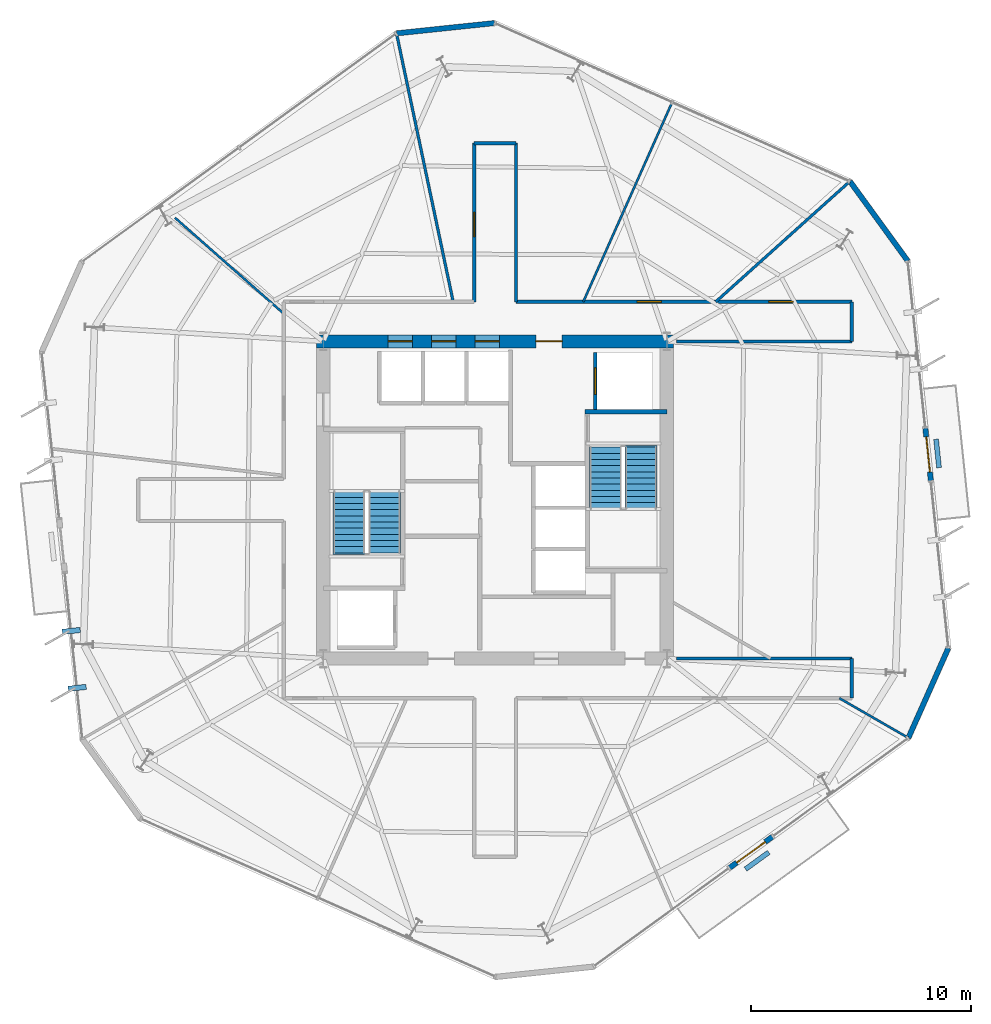
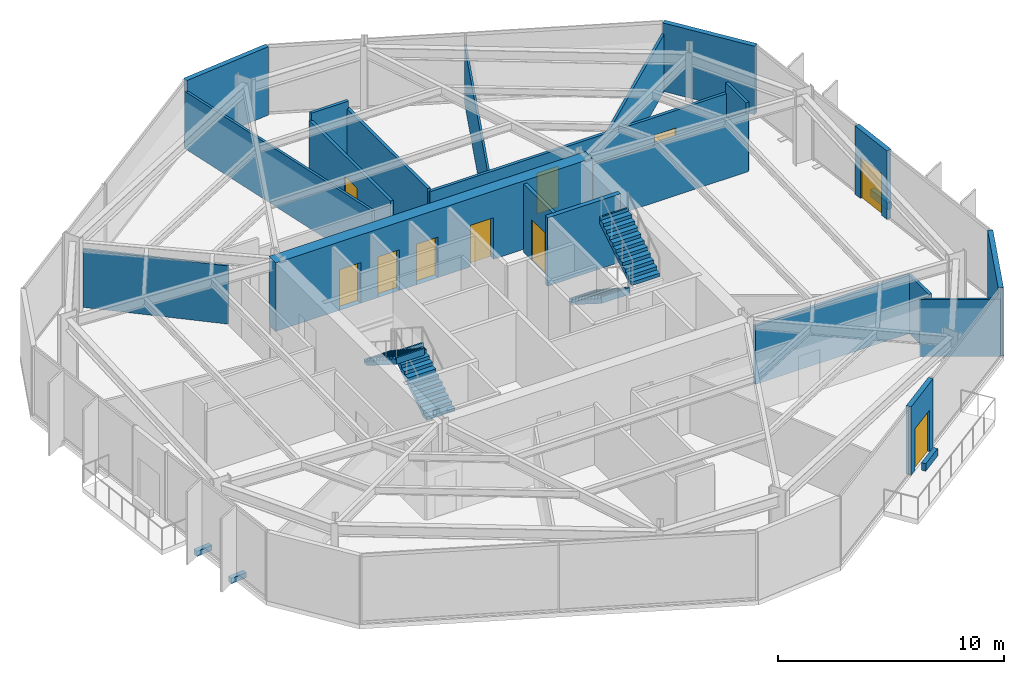
# One storey, part 8 of 12: 23 walls, 10 doors, 4 stair flights, 2 discrete accessories, 10 openings, 2 elements without a shape of their own.
"""IFC4 building model written with IfcOpenShell, lengths in metres."""

from ifc_helpers import new_model, si_unit, direction, frame, frame_2d, origin, origin_2d, place, context, subcontext, project, spatial, polyline, rectangle, outline, extrude, material, layer, layer_set, type_object, element, fill, aggregate, save


model = new_model("IFC4")

# Units and contexts
model_context = context("Model", 3, precision=1e-05, world=origin(), true_north=direction((0.0, 1.0)))
body_context = subcontext(model_context, "Body", "Model", "MODEL_VIEW")
ifc_project = project(units=[si_unit("LENGTHUNIT", "METRE"), si_unit("AREAUNIT", "SQUARE_METRE"), si_unit("VOLUMEUNIT", "CUBIC_METRE"), si_unit("PLANEANGLEUNIT", "RADIAN"), si_unit("MASSUNIT", "GRAM", prefix="KILO")], contexts=[model_context])

# Site, building, storey
site_placement = place(None, origin())
site = spatial("IfcSite", under=ifc_project, at=site_placement, CompositionType="ELEMENT")
building_placement = place(site_placement, origin())
building = spatial("IfcBuilding", under=site, at=building_placement, Name="Kranzbogen Civic Tower", CompositionType="ELEMENT")
storey_placement = place(building_placement, frame((0.0, 0.0, 166.39990234375)))
storey = spatial("IfcBuildingStorey", under=building, at=storey_placement, Name="L40", CompositionType="ELEMENT", Elevation=166.39990234375)

# Wall, opening, door
ifc_material_1 = material(Name="Double-Stud Acoustic Gypsum Partition")
ifc_layer_1 = layer(ifc_material_1, 0.14990234375, Name="Double-Stud Acoustic Gypsum Partition")
ifc_layer_set_1 = layer_set([ifc_layer_1], Name="Double-Stud Acoustic Gypsum Partition")
wall_type_1 = type_object("IfcWallType", Name="Acoustic Corridor and Clinical Partition 150 mm", PredefinedType="PARTITIONING", material=ifc_layer_set_1)
wall_1_placement = place(storey_placement, frame((24.050048828125, 34.0, 0.0), z_axis=(0.0, 0.0, 1.0), x_axis=(0.0, 1.0, 0.0)))
wall_1 = element("IfcWall", 1, at=wall_1_placement, inside=storey, type_object=wall_type_1, Name="L40 corridor partition 11", PredefinedType="PARTITIONING", context=body_context, shape_type="SweptSolid", body=[
    extrude(rectangle(XDim=7.199951171875, YDim=0.14990234375, at=frame_2d((3.60009765625, 0.0))), origin(), (0.0, 0.0, 1.0), 3.300048828125),
])
opening_1_placement = place(wall_1_placement, frame((2.9619140625, 0.0, 0.0)))
opening_1 = element("IfcOpeningElement", 2, at=opening_1_placement, cuts=wall_1, Name="Opening D-COR60", PredefinedType="OPENING", context=body_context, shape_type="SweptSolid", body=[
    extrude(rectangle(XDim=1.10009765625, YDim=2.199951171875, at=frame_2d((0.550048828125, 1.10009765625))), frame((0.0, 0.0849609375, 0.0), z_axis=(0.0, -1.0, 0.0), x_axis=(1.0, 0.0, 0.0)), (0.0, 0.0, 1.0), 0.169921875),
])
ifc_material_2 = material(Name="Oak Timber and Fire Core", Category="wood")
door_type_1 = type_object("IfcDoorType", Name="Corridor Acoustic Fire Door 1100x2200", OperationType="NOTDEFINED", PredefinedType="DOOR", material=ifc_material_2)
door_1_placement = place(opening_1_placement, origin())
door_1 = element("IfcDoor", 3, at=door_1_placement, inside=storey, type_object=door_type_1, Name="L40 Staff Tea Pantry door", OperationType="SINGLE_SWING_RIGHT", OverallHeight=2.199951171875, OverallWidth=1.10009765625, PredefinedType="DOOR", context=body_context, shape_type="SweptSolid", body=[
    extrude(rectangle(XDim=1.10009765625, YDim=2.199951171875, at=frame_2d((0.550048828125, 1.10009765625))), frame((0.0, 0.02490234375, 0.0), z_axis=(0.0, -1.0, 0.0), x_axis=(1.0, 0.0, 0.0)), (0.0, 0.0, 1.0), 0.050048828125),
])
fill(opening_1, door_1)

# Walls
wall_2_placement = place(storey_placement, frame((24.050048828125, 41.199951171875, 0.0), z_axis=(0.0, 0.0, 1.0), x_axis=(1.0, 0.0, 0.0)))
element("IfcWall", 4, at=wall_2_placement, inside=storey, type_object=wall_type_1, Name="L40 corridor partition 12", PredefinedType="PARTITIONING", context=body_context, shape_type="SweptSolid", body=[
    extrude(rectangle(XDim=1.89990234375, YDim=0.14990234375, at=frame_2d((0.949951171875, 0.0))), origin(), (0.0, 0.0, 1.0), 3.7001953125),
])
wall_3_placement = place(storey_placement, frame((25.949951171875, 41.199951171875, 0.0), z_axis=(0.0, 0.0, 1.0), x_axis=(0.0, -1.0, 0.0)))
element("IfcWall", 5, at=wall_3_placement, inside=storey, type_object=wall_type_1, Name="L40 corridor partition 13", PredefinedType="PARTITIONING", context=body_context, shape_type="SweptSolid", body=[
    extrude(rectangle(XDim=7.199951171875, YDim=0.14990234375, at=frame_2d((3.60009765625, 0.0))), origin(), (0.0, 0.0, 1.0), 3.300048828125),
])

# Wall, openings, doors
wall_4_placement = place(storey_placement, frame((25.949951171875, 34.0, 0.0), z_axis=(0.0, 0.0, 1.0), x_axis=(1.0, 0.0, 0.0)))
wall_4 = element("IfcWall", 6, at=wall_4_placement, inside=storey, type_object=wall_type_1, Name="L40 corridor partition 14", PredefinedType="PARTITIONING", context=body_context, shape_type="SweptSolid", body=[
    extrude(rectangle(XDim=15.25, YDim=0.14990234375, at=frame_2d((7.625, 0.0))), origin(), (0.0, 0.0, 1.0), 3.150146484375),
])
opening_2_placement = place(wall_4_placement, frame((11.47998046875, 0.0, 0.0)))
opening_2 = element("IfcOpeningElement", 7, at=opening_2_placement, cuts=wall_4, Name="Opening D-COR60", PredefinedType="OPENING", context=body_context, shape_type="SweptSolid", body=[
    extrude(rectangle(XDim=1.10009765625, YDim=2.199951171875, at=frame_2d((0.550048828125, 1.10009765625))), frame((0.0, 0.0849609375, 0.0), z_axis=(0.0, -1.0, 0.0), x_axis=(1.0, 0.0, 0.0)), (0.0, 0.0, 1.0), 0.169921875),
])
opening_3_placement = place(wall_4_placement, frame((5.501953125, 0.0, 0.0)))
opening_3 = element("IfcOpeningElement", 8, at=opening_3_placement, cuts=wall_4, Name="Opening D-COR60", PredefinedType="OPENING", context=body_context, shape_type="SweptSolid", body=[
    extrude(rectangle(XDim=1.10009765625, YDim=2.199951171875, at=frame_2d((0.550048828125, 1.10009765625))), frame((0.0, 0.0849609375, 0.0), z_axis=(0.0, -1.0, 0.0), x_axis=(1.0, 0.0, 0.0)), (0.0, 0.0, 1.0), 0.169921875),
])
door_2_placement = place(opening_2_placement, origin())
door_2 = element("IfcDoor", 9, at=door_2_placement, inside=storey, type_object=door_type_1, Name="L40 Executive Research Study door", OperationType="SINGLE_SWING_RIGHT", OverallHeight=2.199951171875, OverallWidth=1.10009765625, PredefinedType="DOOR", context=body_context, shape_type="SweptSolid", body=[
    extrude(rectangle(XDim=1.10009765625, YDim=2.199951171875, at=frame_2d((0.550048828125, 1.10009765625))), frame((0.0, 0.02490234375, 0.0), z_axis=(0.0, -1.0, 0.0), x_axis=(1.0, 0.0, 0.0)), (0.0, 0.0, 1.0), 0.050048828125),
])
fill(opening_2, door_2)
door_3_placement = place(opening_3_placement, origin())
door_3 = element("IfcDoor", 10, at=door_3_placement, inside=storey, type_object=door_type_1, Name="L40 Protocol Dining Room door", OperationType="SINGLE_SWING_LEFT", OverallHeight=2.199951171875, OverallWidth=1.10009765625, PredefinedType="DOOR", context=body_context, shape_type="SweptSolid", body=[
    extrude(rectangle(XDim=1.10009765625, YDim=2.199951171875, at=frame_2d((0.550048828125, 1.10009765625))), frame((0.0, 0.02490234375, 0.0), z_axis=(0.0, -1.0, 0.0), x_axis=(1.0, 0.0, 0.0)), (0.0, 0.0, 1.0), 0.050048828125),
])
fill(opening_3, door_3)

# Walls
wall_5_placement = place(storey_placement, frame((41.199951171875, 34.0, 0.0), z_axis=(0.0, 0.0, 1.0), x_axis=(0.0, -1.0, 0.0)))
element("IfcWall", 11, at=wall_5_placement, inside=storey, type_object=wall_type_1, Name="L40 corridor partition 15", PredefinedType="PARTITIONING", context=body_context, shape_type="SweptSolid", body=[
    extrude(rectangle(XDim=1.800048828125, YDim=0.14990234375, at=frame_2d((0.89990234375, 0.0))), origin(), (0.0, 0.0, 1.0), 3.7001953125),
])
for number, where, z_axis, x_axis, name in (
    (12, (41.199951171875, 32.199951171875, 0.0), (0.0, 0.0, 1.0), (-1.0, 0.0, 0.0), "L40 corridor partition 16"),
    (13, (33.2470703125, 17.800048828125, 0.0), (0.0, 0.0, 1.0), (1.0, 0.0, 0.0), "L40 corridor partition 17"),
):
    element("IfcWall", number, at=place(storey_placement, frame(where, z_axis=z_axis, x_axis=x_axis)), inside=storey, type_object=wall_type_1, Name=name, PredefinedType="PARTITIONING", context=body_context, shape_type="SweptSolid", body=[
        extrude(rectangle(XDim=7.952880859375, YDim=0.14990234375, at=frame_2d((3.9765625, 0.0))), origin(), (0.0, 0.0, 1.0), 3.150146484375),
    ])
wall_6_placement = place(storey_placement, frame((41.199951171875, 17.800048828125, 0.0), z_axis=(0.0, 0.0, 1.0), x_axis=(0.0, -1.0, 0.0)))
element("IfcWall", 14, at=wall_6_placement, inside=storey, type_object=wall_type_1, Name="L40 corridor partition 18", PredefinedType="PARTITIONING", context=body_context, shape_type="SweptSolid", body=[
    extrude(rectangle(XDim=1.800048828125, YDim=0.14990234375, at=frame_2d((0.89990234375, 0.0))), origin(), (0.0, 0.0, 1.0), 3.150146484375),
])
ifc_material_3 = material(Name="Insulated Metal-Stud Gypsum Partition")
ifc_layer_2 = layer(ifc_material_3, 0.125, Name="Insulated Metal-Stud Gypsum Partition")
ifc_layer_set_2 = layer_set([ifc_layer_2], Name="Insulated Metal-Stud Gypsum Partition")
wall_type_2 = type_object("IfcWallType", Name="Acoustic Inter-Room Partition 125 mm", PredefinedType="PARTITIONING", material=ifc_layer_set_2)
wall_7_placement = place(storey_placement, frame((35.02197265625, 34.0, 0.0), z_axis=(0.0, 0.0, 1.0), x_axis=(0.744048711529, 0.668125373618, 0.0)))
element("IfcWall", 15, at=wall_7_placement, inside=storey, type_object=wall_type_2, Name="L40 radial room partition 01", PredefinedType="PARTITIONING", context=body_context, shape_type="SweptSolid", body=[
    extrude(rectangle(XDim=8.167724609375, YDim=0.125, at=frame_2d((4.083984375, 0.0))), origin(), (0.0, 0.0, 1.0), 3.10009765625),
])
wall_8_placement = place(storey_placement, frame((23.09912109375, 34.0, 0.0), z_axis=(0.0, 0.0, 1.0), x_axis=(-0.20660887061, 0.978423617144, 0.0)))
element("IfcWall", 16, at=wall_8_placement, inside=storey, type_object=wall_type_2, Name="L40 radial room partition 03", PredefinedType="PARTITIONING", context=body_context, shape_type="SweptSolid", body=[
    extrude(rectangle(XDim=12.439208984375, YDim=0.125, at=frame_2d((6.2197265625, 0.0))), origin(), (0.0, 0.0, 1.0), 3.10009765625),
])
ifc_material_4 = material(Name="Architectural Precast Terracotta Concrete C40/50", Category="masonry")
ifc_layer_3 = layer(ifc_material_4, 0.219970703125, Name="Architectural Precast Terracotta Concrete C40/50")
ifc_layer_set_3 = layer_set([ifc_layer_3], Name="Architectural Precast Terracotta Concrete C40/50")
wall_type_3 = type_object("IfcWallType", Name="Architectural Tree Planter Kerb Wall 220 mm", PredefinedType="USERDEFINED", material=ifc_layer_set_3)
wall_9_placement = place(storey_placement, frame((45.162109375, 26.466064453125, 0.0), z_axis=(0.0, 0.0, 1.0), x_axis=(-0.104860863868, 0.994486902492, 0.0)))
element("IfcWall", 17, at=wall_9_placement, inside=storey, type_object=wall_type_3, Name="L40 landscaped tree balcony planter L40-TB2", ObjectType="PLANTER_WALL", PredefinedType="USERDEFINED", context=body_context, shape_type="SweptSolid", body=[
    extrude(rectangle(XDim=1.299072265625, YDim=0.219970703125, at=frame_2d((0.6494140625, 0.0))), origin(), (0.0, 0.0, 1.0), 0.400146484375),
])
wall_10_placement = place(storey_placement, frame((36.375, 8.238037109375, 0.0), z_axis=(0.0, 0.0, 1.0), x_axis=(0.809166251076, 0.587579763197, 0.0)))
element("IfcWall", 18, at=wall_10_placement, inside=storey, type_object=wall_type_3, Name="L40 landscaped tree balcony planter L40-ST", ObjectType="PLANTER_WALL", PredefinedType="USERDEFINED", context=body_context, shape_type="SweptSolid", body=[
    extrude(rectangle(XDim=1.300048828125, YDim=0.219970703125, at=frame_2d((0.64990234375, 0.0))), origin(), (0.0, 0.0, 1.0), 0.400146484375),
])

# Wall, openings, doors
ifc_material_5 = material(Name="Concrete C55/67", Category="concrete")
ifc_layer_4 = layer(ifc_material_5, 0.60009765625, Name="Concrete C55/67")
ifc_layer_set_4 = layer_set([ifc_layer_4], Name="Concrete C55/67")
wall_type_4 = type_object("IfcWallType", Name="Central Core Shear Wall 600 mm", PredefinedType="SHEAR", material=ifc_layer_set_4)
wall_11_placement = place(storey_placement, frame((33.10009765625, 32.199951171875, 0.0), z_axis=(0.0, 0.0, 1.0), x_axis=(-1.0, 0.0, 0.0)))
wall_11 = element("IfcWall", 19, at=wall_11_placement, inside=storey, type_object=wall_type_4, Name="L40 central core North shear wall", PredefinedType="SHEAR", context=body_context, shape_type="SweptSolid", body=[
    extrude(rectangle(XDim=16.2001953125, YDim=0.60009765625, at=frame_2d((8.10009765625, 0.0))), origin(), (0.0, 0.0, 1.0), 3.7001953125),
])
opening_4_placement = place(wall_11_placement, frame((5.050048828125, 0.0, 0.0)))
opening_4 = element("IfcOpeningElement", 20, at=opening_4_placement, cuts=wall_11, Name="Opening D-EX120", PredefinedType="OPENING", context=body_context, shape_type="SweptSolid", body=[
    extrude(rectangle(XDim=1.199951171875, YDim=2.25, at=frame_2d((0.60009765625, 1.125))), frame((0.0, 0.31005859375, 0.0), z_axis=(0.0, -1.0, 0.0), x_axis=(1.0, 0.0, 0.0)), (0.0, 0.0, 1.0), 0.6201171875),
])
opening_5_placement = place(wall_11_placement, frame((11.85009765625, 0.0, 0.0)))
opening_5 = element("IfcOpeningElement", 21, at=opening_5_placement, cuts=wall_11, Name="Opening LD-MP-01", PredefinedType="OPENING", context=body_context, shape_type="SweptSolid", body=[
    extrude(rectangle(XDim=1.10009765625, YDim=2.199951171875, at=frame_2d((0.550048828125, 1.10009765625))), frame((0.0, 0.31005859375, 0.0), z_axis=(0.0, -1.0, 0.0), x_axis=(1.0, 0.0, 0.0)), (0.0, 0.0, 1.0), 0.6201171875),
])
opening_6_placement = place(wall_11_placement, frame((9.875, 0.0, 0.0)))
opening_6 = element("IfcOpeningElement", 22, at=opening_6_placement, cuts=wall_11, Name="Opening LD-MP-02", PredefinedType="OPENING", context=body_context, shape_type="SweptSolid", body=[
    extrude(rectangle(XDim=1.10009765625, YDim=2.199951171875, at=frame_2d((0.550048828125, 1.10009765625))), frame((0.0, 0.31005859375, 0.0), z_axis=(0.0, -1.0, 0.0), x_axis=(1.0, 0.0, 0.0)), (0.0, 0.0, 1.0), 0.6201171875),
])
opening_7_placement = place(wall_11_placement, frame((7.89990234375, 0.0, 0.0)))
opening_7 = element("IfcOpeningElement", 23, at=opening_7_placement, cuts=wall_11, Name="Opening LD-MP-03", PredefinedType="OPENING", context=body_context, shape_type="SweptSolid", body=[
    extrude(rectangle(XDim=1.10009765625, YDim=2.199951171875, at=frame_2d((0.550048828125, 1.10009765625))), frame((0.0, 0.31005859375, 0.0), z_axis=(0.0, -1.0, 0.0), x_axis=(1.0, 0.0, 0.0)), (0.0, 0.0, 1.0), 0.6201171875),
])
ifc_material_6 = material(Name="Steel S355", Category="steel")
door_type_2 = type_object("IfcDoorType", Name="Exit Passageway Fire Door 1200x2250", OperationType="NOTDEFINED", PredefinedType="DOOR", material=ifc_material_6)
door_4_placement = place(opening_4_placement, origin())
door_4 = element("IfcDoor", 24, at=door_4_placement, inside=storey, type_object=door_type_2, Name="L40 East firefighting lobby corridor door", OperationType="SINGLE_SWING_LEFT", OverallHeight=2.25, OverallWidth=1.199951171875, PredefinedType="DOOR", context=body_context, shape_type="SweptSolid", body=[
    extrude(rectangle(XDim=1.199951171875, YDim=2.25, at=frame_2d((0.60009765625, 1.125))), frame((0.0, 0.02490234375, 0.0), z_axis=(0.0, -1.0, 0.0), x_axis=(1.0, 0.0, 0.0)), (0.0, 0.0, 1.0), 0.050048828125),
])
fill(opening_4, door_4)
ifc_material_7 = material(Name="Pale Anodised Aluminium", Category="aluminium")
door_type_3 = type_object("IfcDoorType", Name="Passenger Lift Sliding Landing Door 1100x2200", OperationType="DOUBLE_DOOR_SLIDING", PredefinedType="DOOR", material=ifc_material_7)
door_5_placement = place(opening_5_placement, origin())
door_5 = element("IfcDoor", 25, at=door_5_placement, inside=storey, type_object=door_type_3, Name="L40 lift MP-01 sliding landing door", OperationType="DOUBLE_DOOR_SLIDING", OverallHeight=2.199951171875, OverallWidth=1.10009765625, PredefinedType="DOOR", context=body_context, shape_type="SweptSolid", body=[
    extrude(rectangle(XDim=1.10009765625, YDim=2.199951171875, at=frame_2d((0.550048828125, 1.10009765625))), frame((0.0, 0.02490234375, 0.0), z_axis=(0.0, -1.0, 0.0), x_axis=(1.0, 0.0, 0.0)), (0.0, 0.0, 1.0), 0.050048828125),
])
fill(opening_5, door_5)
door_6_placement = place(opening_6_placement, origin())
door_6 = element("IfcDoor", 26, at=door_6_placement, inside=storey, type_object=door_type_3, Name="L40 lift MP-02 sliding landing door", OperationType="DOUBLE_DOOR_SLIDING", OverallHeight=2.199951171875, OverallWidth=1.10009765625, PredefinedType="DOOR", context=body_context, shape_type="SweptSolid", body=[
    extrude(rectangle(XDim=1.10009765625, YDim=2.199951171875, at=frame_2d((0.550048828125, 1.10009765625))), frame((0.0, 0.02490234375, 0.0), z_axis=(0.0, -1.0, 0.0), x_axis=(1.0, 0.0, 0.0)), (0.0, 0.0, 1.0), 0.050048828125),
])
fill(opening_6, door_6)
door_7_placement = place(opening_7_placement, origin())
door_7 = element("IfcDoor", 27, at=door_7_placement, inside=storey, type_object=door_type_3, Name="L40 lift MP-03 sliding landing door", OperationType="DOUBLE_DOOR_SLIDING", OverallHeight=2.199951171875, OverallWidth=1.10009765625, PredefinedType="DOOR", context=body_context, shape_type="SweptSolid", body=[
    extrude(rectangle(XDim=1.10009765625, YDim=2.199951171875, at=frame_2d((0.550048828125, 1.10009765625))), frame((0.0, 0.02490234375, 0.0), z_axis=(0.0, -1.0, 0.0), x_axis=(1.0, 0.0, 0.0)), (0.0, 0.0, 1.0), 0.050048828125),
])
fill(opening_7, door_7)

# Walls
ifc_material_8 = material(Name="Concrete C45/55", Category="concrete")
ifc_layer_5 = layer(ifc_material_8, 0.219970703125, Name="Concrete C45/55")
ifc_layer_set_5 = layer_set([ifc_layer_5], Name="Concrete C45/55")
wall_type_5 = type_object("IfcWallType", Name="Core Internal Stair Structural Wall 220 mm", PredefinedType="SOLIDWALL", material=ifc_layer_set_5)
wall_12_placement = place(storey_placement, frame((29.080078125, 29.010009765625, 0.0), z_axis=(0.0, 0.0, 1.0), x_axis=(1.0, 0.0, 0.0)))
element("IfcWall", 28, at=wall_12_placement, inside=storey, type_object=wall_type_5, Name="L40 ST-T2 North structural stair wall", PredefinedType="SOLIDWALL", context=body_context, shape_type="SweptSolid", body=[
    extrude(rectangle(XDim=3.719970703125, YDim=0.219970703125, at=frame_2d((1.85986328125, 0.0))), origin(), (0.0, 0.0, 1.0), 3.7001953125),
])
ifc_material_9 = material(Name="Demountable Aluminium and Gypsum Partition", Category="aluminium")
ifc_layer_6 = layer(ifc_material_9, 0.10009765625, Name="Demountable Aluminium and Gypsum Partition")
ifc_layer_set_6 = layer_set([ifc_layer_6], Name="Demountable Aluminium and Gypsum Partition")
wall_type_6 = type_object("IfcWallType", Name="Demountable Office Partition 100 mm", PredefinedType="MOVABLE", material=ifc_layer_set_6)
wall_13_placement = place(storey_placement, frame((29.007080078125, 34.0, 0.0), z_axis=(0.0, 0.0, 1.0), x_axis=(0.406801666568, 0.913516504546, 0.0)))
element("IfcWall", 29, at=wall_13_placement, inside=storey, type_object=wall_type_6, Name="L40 radial room partition 02", PredefinedType="MOVABLE", context=body_context, shape_type="SweptSolid", body=[
    extrude(rectangle(XDim=9.903564453125, YDim=0.10009765625, at=frame_2d((4.95166015625, 0.0))), origin(), (0.0, 0.0, 1.0), 3.10009765625),
])
wall_14_placement = place(storey_placement, frame((15.39990234375, 33.466064453125, 0.0), z_axis=(0.0, 0.0, 1.0), x_axis=(-0.750039316512, 0.66139324436, 0.0)))
element("IfcWall", 30, at=wall_14_placement, inside=storey, type_object=wall_type_6, Name="L40 radial room partition 04", PredefinedType="MOVABLE", context=body_context, shape_type="SweptSolid", body=[
    extrude(rectangle(XDim=6.576904296875, YDim=0.10009765625, at=frame_2d((3.28857421875, 0.0))), origin(), (0.0, 0.0, 1.0), 3.150146484375),
])
wall_15_placement = place(storey_placement, frame((40.635986328125, 16.0, 0.0), z_axis=(0.0, 0.0, 1.0), x_axis=(0.866634023406, -0.498944355088, 0.0)))
element("IfcWall", 31, at=wall_15_placement, inside=storey, type_object=wall_type_6, Name="L40 radial room partition 10", PredefinedType="MOVABLE", context=body_context, shape_type="SweptSolid", body=[
    extrude(rectangle(XDim=3.595458984375, YDim=0.10009765625, at=frame_2d((1.7978515625, 0.0))), origin(), (0.0, 0.0, 1.0), 3.10009765625),
])

# Wall, opening, door
ifc_material_10 = material(Name="Gypsum Fireboard Shaftliner")
ifc_layer_7 = layer(ifc_material_10, 0.175048828125, Name="Gypsum Fireboard Shaftliner")
ifc_layer_set_7 = layer_set([ifc_layer_7], Name="Gypsum Fireboard Shaftliner")
wall_type_7 = type_object("IfcWallType", Name="Fire-Rated Lift and Service Shaft Wall 175 mm", PredefinedType="PARTITIONING", material=ifc_layer_set_7)
wall_16_placement = place(storey_placement, frame((29.550048828125, 29.10009765625, 0.0), z_axis=(0.0, 0.0, 1.0), x_axis=(0.0, 1.0, 0.0)))
wall_16 = element("IfcWall", 32, at=wall_16_placement, inside=storey, type_object=wall_type_7, Name="L40 lift FF-02 landing wall", PredefinedType="PARTITIONING", context=body_context, shape_type="SweptSolid", body=[
    extrude(rectangle(XDim=2.599853515625, YDim=0.175048828125, at=frame_2d((1.2998046875, 0.0))), origin(), (0.0, 0.0, 1.0), 3.7001953125),
])
opening_8_placement = place(wall_16_placement, frame((0.699951171875, 0.0, 0.0)))
opening_8 = element("IfcOpeningElement", 33, at=opening_8_placement, cuts=wall_16, Name="Opening LD-FF-02", PredefinedType="OPENING", context=body_context, shape_type="SweptSolid", body=[
    extrude(rectangle(XDim=1.199951171875, YDim=2.199951171875, at=frame_2d((0.60009765625, 1.10009765625))), frame((0.0, 0.09765625, 0.0), z_axis=(0.0, -1.0, 0.0), x_axis=(1.0, 0.0, 0.0)), (0.0, 0.0, 1.0), 0.195068359375),
])
door_type_4 = type_object("IfcDoorType", Name="Firefighting and Stretcher Lift Sliding Landing Door 1200x2200", OperationType="DOUBLE_DOOR_SLIDING", PredefinedType="DOOR", material=ifc_material_7)
door_8_placement = place(opening_8_placement, origin())
door_8 = element("IfcDoor", 34, at=door_8_placement, inside=storey, type_object=door_type_4, Name="L40 lift FF-02 sliding landing door", OperationType="DOUBLE_DOOR_SLIDING", OverallHeight=2.199951171875, OverallWidth=1.199951171875, PredefinedType="DOOR", context=body_context, shape_type="SweptSolid", body=[
    extrude(rectangle(XDim=1.199951171875, YDim=2.199951171875, at=frame_2d((0.60009765625, 1.10009765625))), frame((0.0, 0.02490234375, 0.0), z_axis=(0.0, -1.0, 0.0), x_axis=(1.0, 0.0, 0.0)), (0.0, 0.0, 1.0), 0.050048828125),
])
fill(opening_8, door_8)

# Wall
ifc_layer_8 = layer(ifc_material_7, 0.239990234375, Name="Pale Anodised Aluminium")
ifc_layer_set_8 = layer_set([ifc_layer_8], Name="Pale Anodised Aluminium")
wall_type_8 = type_object("IfcWallType", Name="Insulated Aluminium Facade Portal Wall 240 mm", PredefinedType="STANDARD", material=ifc_layer_set_8)
wall_17_placement = place(storey_placement, frame((24.971923828125, 46.656005859375, 0.0), z_axis=(0.0, 0.0, 1.0), x_axis=(-0.994530256506, -0.104448881729, 0.0)))
element("IfcWall", 35, at=wall_17_placement, inside=storey, type_object=wall_type_8, Name="L40 chamfered corner facade spandrel 1", PredefinedType="STANDARD", context=body_context, shape_type="SweptSolid", body=[
    extrude(rectangle(XDim=4.471435546875, YDim=0.239990234375, at=frame_2d((2.23583984375, 0.0))), origin(), (0.0, 0.0, 1.0), 3.7001953125),
])

# Wall, opening, door
wall_18_placement = place(storey_placement, frame((35.65087890625, 8.299072265625, 0.0), z_axis=(0.0, 0.0, 1.0), x_axis=(0.809241672901, 0.587475884476, 0.0)))
wall_18 = element("IfcWall", 36, at=wall_18_placement, inside=storey, type_object=wall_type_8, Name="L40 exterior entrance portal wall 1", PredefinedType="STANDARD", context=body_context, shape_type="SweptSolid", body=[
    extrude(rectangle(XDim=2.39990234375, YDim=0.239990234375, at=frame_2d((1.199951171875, 0.0))), origin(), (0.0, 0.0, 1.0), 3.7001953125),
])
opening_9_placement = place(wall_18_placement, frame((0.39990234375, 0.0, 0.0)))
opening_9 = element("IfcOpeningElement", 37, at=opening_9_placement, cuts=wall_18, Name="Opening D-TER", PredefinedType="OPENING", context=body_context, shape_type="SweptSolid", body=[
    extrude(rectangle(XDim=1.60009765625, YDim=2.25, at=frame_2d((0.800048828125, 1.125))), frame((0.0, 0.1298828125, 0.0), z_axis=(0.0, -1.0, 0.0), x_axis=(1.0, 0.0, 0.0)), (0.0, 0.0, 1.0), 0.260009765625),
])
ifc_material_11 = material(Name="Anodised Bronze and Triple Glass", Category="glass")
door_type_5 = type_object("IfcDoorType", Name="Glazed Terrace and Balcony Double Door 1600x2250", OperationType="DOUBLE_DOOR_SINGLE_SWING", PredefinedType="DOOR", material=ifc_material_11)
door_9_placement = place(opening_9_placement, frame((1.60009765625, 0.0, 0.0), z_axis=(0.0, 0.0, 1.0), x_axis=(-1.0, 0.0, 0.0)))
door_9 = element("IfcDoor", 38, at=door_9_placement, inside=storey, type_object=door_type_5, Name="L40 spiral terrace access door L40-ST", OperationType="DOUBLE_DOOR_SINGLE_SWING", OverallHeight=2.25, OverallWidth=1.60009765625, PredefinedType="DOOR", context=body_context, shape_type="SweptSolid", body=[
    extrude(rectangle(XDim=1.60009765625, YDim=2.25, at=frame_2d((0.800048828125, 1.125))), frame((0.0, 0.02490234375, 0.0), z_axis=(0.0, -1.0, 0.0), x_axis=(1.0, 0.0, 0.0)), (0.0, 0.0, 1.0), 0.050048828125),
])
fill(opening_9, door_9)

# Wall
wall_19_placement = place(storey_placement, frame((43.76904296875, 14.197021484375, 0.0), z_axis=(0.0, 0.0, 1.0), x_axis=(0.406655262741, 0.913581686159, 0.0)))
element("IfcWall", 39, at=wall_19_placement, inside=storey, type_object=wall_type_8, Name="L40 chamfered corner facade spandrel 5", PredefinedType="STANDARD", context=body_context, shape_type="SweptSolid", body=[
    extrude(rectangle(XDim=4.47021484375, YDim=0.239990234375, at=frame_2d((2.235107421875, 0.0))), origin(), (0.0, 0.0, 1.0), 3.7001953125),
])

# Wall, opening, door
wall_20_placement = place(storey_placement, frame((44.7890625, 25.8740234375, 0.0), z_axis=(0.0, 0.0, 1.0), x_axis=(-0.104165836226, 0.994559942167, 0.0)))
wall_20 = element("IfcWall", 40, at=wall_20_placement, inside=storey, type_object=wall_type_8, Name="L40 exterior entrance portal wall 1", PredefinedType="STANDARD", context=body_context, shape_type="SweptSolid", body=[
    extrude(rectangle(XDim=2.39990234375, YDim=0.239990234375, at=frame_2d((1.199951171875, 0.0))), origin(), (0.0, 0.0, 1.0), 3.7001953125),
])
opening_10_placement = place(wall_20_placement, frame((0.39990234375, 0.0, 0.0)))
opening_10 = element("IfcOpeningElement", 41, at=opening_10_placement, cuts=wall_20, Name="Opening D-TER", PredefinedType="OPENING", context=body_context, shape_type="SweptSolid", body=[
    extrude(rectangle(XDim=1.60009765625, YDim=2.25, at=frame_2d((0.800048828125, 1.125))), frame((0.0, 0.1298828125, 0.0), z_axis=(0.0, -1.0, 0.0), x_axis=(1.0, 0.0, 0.0)), (0.0, 0.0, 1.0), 0.260009765625),
])
door_10_placement = place(opening_10_placement, frame((1.60009765625, 0.0, 0.0), z_axis=(0.0, 0.0, 1.0), x_axis=(-1.0, 0.0, 0.0)))
door_10 = element("IfcDoor", 42, at=door_10_placement, inside=storey, type_object=door_type_5, Name="L40 tree balcony access door L40-TB2", OperationType="DOUBLE_DOOR_SINGLE_SWING", OverallHeight=2.25, OverallWidth=1.60009765625, PredefinedType="DOOR", context=body_context, shape_type="SweptSolid", body=[
    extrude(rectangle(XDim=1.60009765625, YDim=2.25, at=frame_2d((0.800048828125, 1.125))), frame((0.0, 0.02490234375, 0.0), z_axis=(0.0, -1.0, 0.0), x_axis=(1.0, 0.0, 0.0)), (0.0, 0.0, 1.0), 0.050048828125),
])
fill(opening_10, door_10)

# Wall
wall_21_placement = place(storey_placement, frame((43.740966796875, 35.85302734375, 0.0), z_axis=(0.0, 0.0, 1.0), x_axis=(-0.587898873753, 0.80893443136, 0.0)))
element("IfcWall", 43, at=wall_21_placement, inside=storey, type_object=wall_type_8, Name="L40 chamfered corner facade spandrel 6", PredefinedType="STANDARD", context=body_context, shape_type="SweptSolid", body=[
    extrude(rectangle(XDim=4.469970703125, YDim=0.239990234375, at=frame_2d((2.23486328125, 0.0))), origin(), (0.0, 0.0, 1.0), 3.7001953125),
])

# Stair, stair flights
ifc_material_12 = material(Name="Precast concrete C40/50", Category="concrete")
stair_type_1 = type_object("IfcStairType", Name="Tower Core Pressurized Dogleg Stair 1450", PredefinedType="HALF_TURN_STAIR", material=ifc_material_12)
stair_1_placement = place(storey_placement, origin())
stair_1 = element("IfcStair", 44, at=stair_1_placement, inside=storey, type_object=stair_type_1, Name="L40 Tower Core Pressurized Stair 1", PredefinedType="HALF_TURN_STAIR")
stair_flight_type = type_object("IfcStairFlightType", Name="Precast Concrete Stair Flight R180", PredefinedType="STRAIGHT", material=ifc_material_12)
stair_flight_1_placement = place(storey_placement, frame((19.97509765625, 22.60009765625, 0.0), z_axis=(0.0, 0.0, 1.0), x_axis=(0.0, 1.0, 0.0)))
stair_flight_1 = element("IfcStairFlight", 45, at=stair_flight_1_placement, type_object=stair_flight_type, Name="ST-T1 flight 1", NumberOfRisers=11, NumberOfTreads=10, PredefinedType="STRAIGHT", RiserHeight=0.181818182, TreadLength=0.28, context=body_context, shape_type="SweptSolid", body=[
    extrude(outline(polyline([(0.0, 0.0), (0.0, 0.181884765625), (0.280029296875, 0.181884765625), (0.280029296875, 0.363525390625), (0.56005859375, 0.363525390625), (0.56005859375, 0.54541015625), (0.840087890625, 0.54541015625), (0.840087890625, 0.727294921875), (1.1201171875, 0.727294921875), (1.1201171875, 0.9091796875), (1.39990234375, 0.9091796875), (1.39990234375, 1.0908203125), (1.679931640625, 1.0908203125), (1.679931640625, 1.272705078125), (1.9599609375, 1.272705078125), (1.9599609375, 1.45458984375), (2.239990234375, 1.45458984375), (2.239990234375, 1.636474609375), (2.52001953125, 1.636474609375), (2.52001953125, 1.818115234375), (2.800048828125, 1.818115234375), (2.800048828125, 2.0), (2.880126953125, 2.0), (2.880126953125, 1.639404296875), (0.275146484375, 0.0), (0.0, 0.0)])), frame((0.0, 0.72509765625, 0.0), z_axis=(0.0, -1.0, 0.0), x_axis=(1.0, 0.0, 0.0)), (0.0, 0.0, 1.0), 1.449951171875),
])
stair_flight_2_placement = place(storey_placement, frame((18.375, 25.39990234375, 2.0), z_axis=(0.0, 0.0, 1.0), x_axis=(0.0, -1.0, 0.0)))
stair_flight_2 = element("IfcStairFlight", 46, at=stair_flight_2_placement, type_object=stair_flight_type, Name="ST-T1 flight 2", NumberOfRisers=11, NumberOfTreads=10, PredefinedType="STRAIGHT", RiserHeight=0.181818182, TreadLength=0.28, context=body_context, shape_type="SweptSolid", body=[
    extrude(outline(polyline([(0.0, 0.0), (0.0, 0.181884765625), (0.280029296875, 0.181884765625), (0.280029296875, 0.363525390625), (0.56005859375, 0.363525390625), (0.56005859375, 0.54541015625), (0.840087890625, 0.54541015625), (0.840087890625, 0.727294921875), (1.1201171875, 0.727294921875), (1.1201171875, 0.9091796875), (1.39990234375, 0.9091796875), (1.39990234375, 1.0908203125), (1.679931640625, 1.0908203125), (1.679931640625, 1.272705078125), (1.9599609375, 1.272705078125), (1.9599609375, 1.45458984375), (2.239990234375, 1.45458984375), (2.239990234375, 1.636474609375), (2.52001953125, 1.636474609375), (2.52001953125, 1.818115234375), (2.800048828125, 1.818115234375), (2.800048828125, 2.0), (2.880126953125, 2.0), (2.880126953125, 1.639404296875), (0.275146484375, 0.0), (0.0, 0.0)])), frame((0.0, 0.72509765625, 0.0), z_axis=(0.0, -1.0, 0.0), x_axis=(1.0, 0.0, 0.0)), (0.0, 0.0, 1.0), 1.449951171875),
])
aggregate(stair_1, [stair_flight_1, stair_flight_2])

stair_type_2 = type_object("IfcStairType", Name="Tower Core Secondary Dogleg Stair 1450", PredefinedType="HALF_TURN_STAIR", material=ifc_material_12)
stair_2_placement = place(storey_placement, origin())
stair_2 = element("IfcStair", 47, at=stair_2_placement, inside=storey, type_object=stair_type_2, Name="L40 Tower Core Pressurized Stair 2", PredefinedType="HALF_TURN_STAIR")
stair_flight_3_placement = place(storey_placement, frame((30.02490234375, 27.39990234375, 0.0), z_axis=(0.0, 0.0, 1.0), x_axis=(0.0, -1.0, 0.0)))
stair_flight_3 = element("IfcStairFlight", 48, at=stair_flight_3_placement, type_object=stair_flight_type, Name="ST-T2 flight 1", NumberOfRisers=11, NumberOfTreads=10, PredefinedType="STRAIGHT", RiserHeight=0.181818182, TreadLength=0.28, context=body_context, shape_type="SweptSolid", body=[
    extrude(outline(polyline([(0.0, 0.0), (0.0, 0.181884765625), (0.280029296875, 0.181884765625), (0.280029296875, 0.363525390625), (0.56005859375, 0.363525390625), (0.56005859375, 0.54541015625), (0.840087890625, 0.54541015625), (0.840087890625, 0.727294921875), (1.1201171875, 0.727294921875), (1.1201171875, 0.9091796875), (1.39990234375, 0.9091796875), (1.39990234375, 1.0908203125), (1.679931640625, 1.0908203125), (1.679931640625, 1.272705078125), (1.9599609375, 1.272705078125), (1.9599609375, 1.45458984375), (2.239990234375, 1.45458984375), (2.239990234375, 1.636474609375), (2.52001953125, 1.636474609375), (2.52001953125, 1.818115234375), (2.800048828125, 1.818115234375), (2.800048828125, 2.0), (2.880126953125, 2.0), (2.880126953125, 1.639404296875), (0.275146484375, 0.0), (0.0, 0.0)])), frame((0.0, 0.72509765625, 0.0), z_axis=(0.0, -1.0, 0.0), x_axis=(1.0, 0.0, 0.0)), (0.0, 0.0, 1.0), 1.449951171875),
])
stair_flight_4_placement = place(storey_placement, frame((31.625, 24.60009765625, 2.0), z_axis=(0.0, 0.0, 1.0), x_axis=(0.0, 1.0, 0.0)))
stair_flight_4 = element("IfcStairFlight", 49, at=stair_flight_4_placement, type_object=stair_flight_type, Name="ST-T2 flight 2", NumberOfRisers=11, NumberOfTreads=10, PredefinedType="STRAIGHT", RiserHeight=0.181818182, TreadLength=0.28, context=body_context, shape_type="SweptSolid", body=[
    extrude(outline(polyline([(0.0, 0.0), (0.0, 0.181884765625), (0.280029296875, 0.181884765625), (0.280029296875, 0.363525390625), (0.56005859375, 0.363525390625), (0.56005859375, 0.54541015625), (0.840087890625, 0.54541015625), (0.840087890625, 0.727294921875), (1.1201171875, 0.727294921875), (1.1201171875, 0.9091796875), (1.39990234375, 0.9091796875), (1.39990234375, 1.0908203125), (1.679931640625, 1.0908203125), (1.679931640625, 1.272705078125), (1.9599609375, 1.272705078125), (1.9599609375, 1.45458984375), (2.239990234375, 1.45458984375), (2.239990234375, 1.636474609375), (2.52001953125, 1.636474609375), (2.52001953125, 1.818115234375), (2.800048828125, 1.818115234375), (2.800048828125, 2.0), (2.880126953125, 2.0), (2.880126953125, 1.639404296875), (0.275146484375, 0.0), (0.0, 0.0)])), frame((0.0, 0.72509765625, 0.0), z_axis=(0.0, -1.0, 0.0), x_axis=(1.0, 0.0, 0.0)), (0.0, 0.0, 1.0), 1.449951171875),
])
aggregate(stair_2, [stair_flight_3, stair_flight_4])

# Discrete accessories
discrete_accessory_type = type_object("IfcDiscreteAccessoryType", Name="Structural Curtain-Wall Fin Support Bracket", PredefinedType="BRACKET", material=ifc_material_6)
for number, where, z_axis, x_axis, name in (
    (50, (5.756103515625, 19.054931640625, -0.25), (0.0, 0.0, 1.0), (-0.994521895368, -0.104528463268, 0.0), "L40 facade fin support bracket F3-5"),
    (51, (6.027099609375, 16.469970703125, -0.25), (0.0, 0.0, 1.0), (-0.994521895368, -0.104528463268, 0.0), "L40 facade fin support bracket F3-6"),
):
    element("IfcDiscreteAccessory", number, at=place(storey_placement, frame(where, z_axis=z_axis, x_axis=x_axis)), inside=storey, type_object=discrete_accessory_type, Name=name, PredefinedType="BRACKET", context=body_context, shape_type="SweptSolid", body=[
        extrude(rectangle(XDim=0.820068359375, YDim=0.239990234375, at=origin_2d()), origin(), (0.0, 0.0, 1.0), 0.280029296875),
    ])

save(model, "model.ifc")
